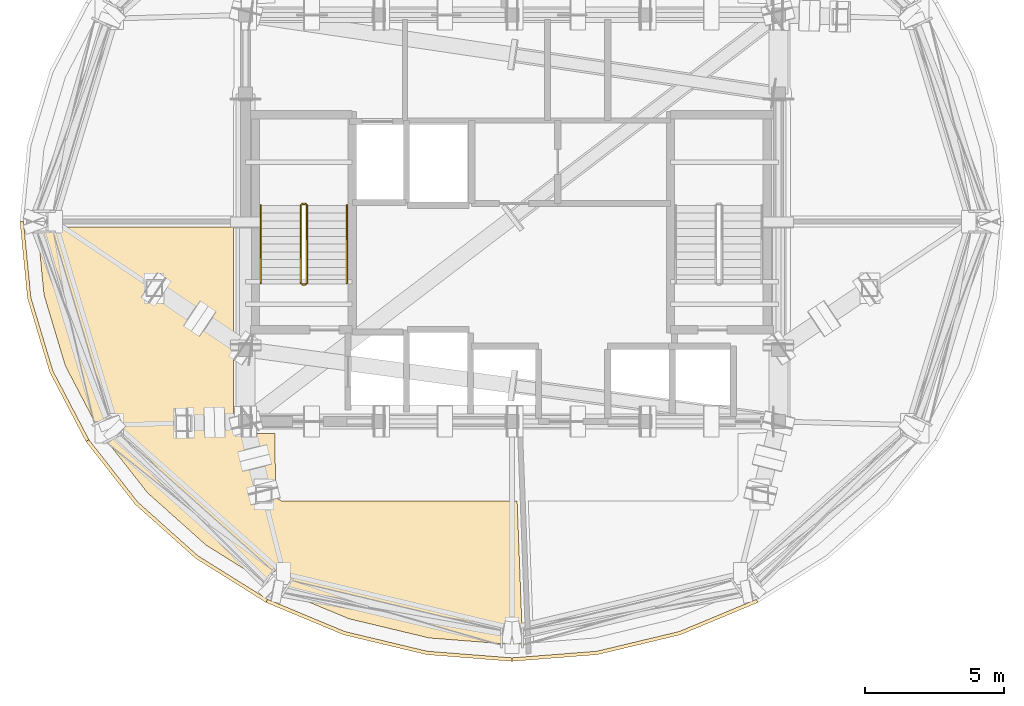
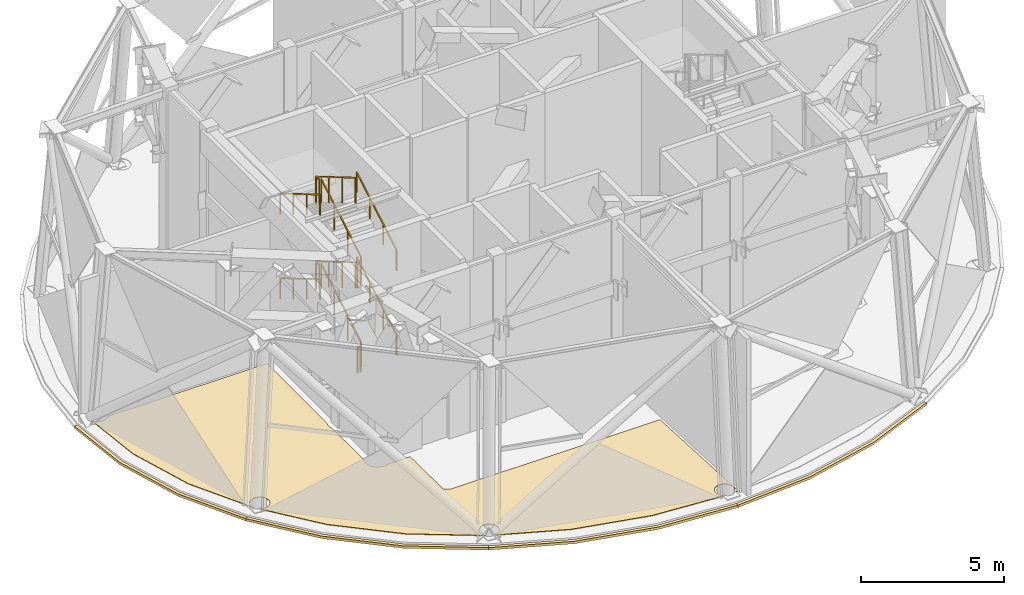
# One storey, part 10 of 12: 12 railings, 5 coverings.
"""IFC4 building model written with IfcOpenShell, lengths in metres."""

from ifc_helpers import new_model, si_unit, direction, frame, origin, origin_2d, place, context, subcontext, project, spatial, polyline, rectangle, outline, extrude, material, layer, layer_set, type_object, element, save


model = new_model("IFC4")

# Units and contexts
model_context = context("Model", 3, precision=1e-05, world=origin(), true_north=direction((0.0, 1.0)))
body_context = subcontext(model_context, "Body", "Model", "MODEL_VIEW")
ifc_project = project(units=[si_unit("LENGTHUNIT", "METRE"), si_unit("AREAUNIT", "SQUARE_METRE"), si_unit("VOLUMEUNIT", "CUBIC_METRE"), si_unit("PLANEANGLEUNIT", "RADIAN"), si_unit("MASSUNIT", "GRAM", prefix="KILO")], contexts=[model_context])

# Site, building, storey
site_placement = place(None, origin())
site = spatial("IfcSite", under=ifc_project, at=site_placement, CompositionType="ELEMENT")
building_placement = place(site_placement, origin())
building = spatial("IfcBuilding", under=site, at=building_placement, Name="Vantalir Tower", CompositionType="ELEMENT")
storey_placement = place(building_placement, frame((0.0, 0.0, 304.5)))
storey = spatial("IfcBuildingStorey", under=building, at=storey_placement, Name="L76", CompositionType="ELEMENT", Elevation=304.5)

# Coverings
ifc_material_1 = material(Name="Anodised champagne aluminium sill fascia", Category="aluminium")
ifc_layer_1 = layer(ifc_material_1, 0.125)
ifc_layer_set_1 = layer_set([ifc_layer_1], Name="Anodised champagne aluminium sill fascia")
covering_type_1 = type_object("IfcCoveringType", Name="COV-SLAB-FASCIA-125", PredefinedType="CLADDING", material=ifc_layer_set_1)
covering_1_placement = place(storey_placement, frame((0.0, 0.0, -0.179931640625)))
element("IfcCovering", 1, at=covering_1_placement, inside=storey, type_object=covering_type_1, Name="L76 Perimeter Slab-Edge Sill Fascia 07", PredefinedType="CLADDING", context=body_context, shape_type="SweptSolid", body=[
    extrude(outline(polyline([(13.77490234375, 25.0), (14.0439453125, 22.25), (14.843994140625, 19.5830078125), (16.14990234375, 17.080078125), (16.258056640625, 17.14306640625), (14.9609375, 19.625), (14.1669921875, 22.27099609375), (13.89990234375, 25.0), (13.77490234375, 25.0)])), origin(), (0.0, 0.0, 1.0), 0.10498046875),
])
covering_2_placement = place(storey_placement, frame((0.0, 0.0, -0.179931640625)))
element("IfcCovering", 2, at=covering_2_placement, inside=storey, type_object=covering_type_1, Name="L76 Perimeter Slab-Edge Sill Fascia 08", PredefinedType="CLADDING", context=body_context, shape_type="SweptSolid", body=[
    extrude(outline(polyline([(16.14990234375, 17.080078125), (17.922119140625, 14.819091796875), (20.10693359375, 12.866943359375), (22.636962890625, 11.282958984375), (22.699951171875, 11.39111328125), (20.18701171875, 12.9619140625), (18.01806640625, 14.89892578125), (16.258056640625, 17.14306640625), (16.14990234375, 17.080078125)])), origin(), (0.0, 0.0, 1.0), 0.10498046875),
])
covering_3_placement = place(storey_placement, frame((0.0, 0.0, -0.179931640625)))
element("IfcCovering", 3, at=covering_3_placement, inside=storey, type_object=covering_type_1, Name="L76 Perimeter Slab-Edge Sill Fascia 09", PredefinedType="CLADDING", context=body_context, shape_type="SweptSolid", body=[
    extrude(outline(polyline([(22.636962890625, 11.282958984375), (25.43798828125, 10.115966796875), (28.422119140625, 9.402099609375), (31.5, 9.160888671875), (31.5, 9.285888671875), (28.444091796875, 9.52490234375), (25.47998046875, 10.23388671875), (22.699951171875, 11.39111328125), (22.636962890625, 11.282958984375)])), origin(), (0.0, 0.0, 1.0), 0.10498046875),
])
covering_4_placement = place(storey_placement, frame((0.0, 0.0, -0.179931640625)))
element("IfcCovering", 4, at=covering_4_placement, inside=storey, type_object=covering_type_1, Name="L76 Perimeter Slab-Edge Sill Fascia 10", PredefinedType="CLADDING", context=body_context, shape_type="SweptSolid", body=[
    extrude(outline(polyline([(31.5, 9.160888671875), (34.577880859375, 9.402099609375), (37.56201171875, 10.115966796875), (40.363037109375, 11.282958984375), (40.300048828125, 11.39111328125), (37.52001953125, 10.23388671875), (34.555908203125, 9.52490234375), (31.5, 9.285888671875), (31.5, 9.160888671875)])), origin(), (0.0, 0.0, 1.0), 0.10498046875),
])
ifc_material_2 = material(Name="Tropical teak timber and terrazzo floor finish", Category="wood")
ifc_layer_2 = layer(ifc_material_2, 0.02490234375)
ifc_layer_set_2 = layer_set([ifc_layer_2], Name="Tropical teak timber and terrazzo floor finish")
covering_type_2 = type_object("IfcCoveringType", Name="COV-TIMBER-STONE-25", PredefinedType="FLOORING", material=ifc_layer_set_2)
covering_5_placement = place(storey_placement, origin())
element("IfcCovering", 5, at=covering_5_placement, inside=storey, type_object=covering_type_2, Name="L76 Crown South Mechanical Plant Floor Finish", PredefinedType="FLOORING", context=body_context, shape_type="SweptSolid", body=[
    extrude(outline(polyline([(31.882080078125, 9.797119140625), (31.68505859375, 14.93505859375), (23.202880859375, 14.93505859375), (22.98193359375, 15.05810546875), (22.9609375, 17.364990234375), (22.08203125, 17.361083984375), (22.0380859375, 17.344970703125), (21.992919921875, 17.333984375), (21.947021484375, 17.326904296875), (21.89990234375, 17.324951171875), (21.85302734375, 17.326904296875), (21.806884765625, 17.333984375), (21.761962890625, 17.344970703125), (21.7080078125, 17.365966796875), (21.658935546875, 17.365966796875), (21.467041015625, 17.5400390625), (21.4609375, 17.617919921875), (21.445068359375, 17.662109375), (21.43408203125, 17.70703125), (21.427001953125, 17.7529296875), (21.425048828125, 17.800048828125), (21.427001953125, 17.846923828125), (21.43408203125, 17.89306640625), (21.445068359375, 17.93798828125), (21.467041015625, 17.993896484375), (21.4609375, 20.218017578125), (21.445068359375, 20.261962890625), (21.43408203125, 20.306884765625), (21.427001953125, 20.35302734375), (21.425048828125, 20.39990234375), (21.427001953125, 20.447021484375), (21.43408203125, 20.492919921875), (21.445068359375, 20.5380859375), (21.466064453125, 20.592041015625), (21.465087890625, 24.800048828125), (15.031982421875, 24.800048828125), (15.014892578125, 24.777099609375), (14.991943359375, 24.751953125), (14.967041015625, 24.72900390625), (14.93896484375, 24.7080078125), (14.908935546875, 24.68994140625), (14.8779296875, 24.676025390625), (14.845947265625, 24.6640625), (14.81201171875, 24.656005859375), (14.778076171875, 24.65087890625), (14.743896484375, 24.64892578125), (14.7099609375, 24.65087890625), (14.676025390625, 24.656005859375), (14.64208984375, 24.6640625), (14.610107421875, 24.676025390625), (14.5791015625, 24.68994140625), (14.549072265625, 24.7080078125), (14.52099609375, 24.72900390625), (14.49609375, 24.751953125), (14.472900390625, 24.777099609375), (14.4560546875, 24.800048828125), (14.40087890625, 24.800048828125), (14.639892578125, 22.364013671875), (15.406982421875, 19.806884765625), (16.6630859375, 17.404052734375), (16.678955078125, 17.384033203125), (16.6650390625, 17.4150390625), (16.653076171875, 17.447021484375), (16.64501953125, 17.48095703125), (16.639892578125, 17.514892578125), (16.637939453125, 17.549072265625), (16.639892578125, 17.5830078125), (16.64501953125, 17.616943359375), (16.653076171875, 17.65087890625), (16.6650390625, 17.68310546875), (16.678955078125, 17.714111328125), (16.697021484375, 17.743896484375), (16.718017578125, 17.77197265625), (16.740966796875, 17.797119140625), (16.76611328125, 17.820068359375), (16.7939453125, 17.841064453125), (16.823974609375, 17.85888671875), (16.85498046875, 17.873046875), (16.886962890625, 17.885009765625), (16.9208984375, 17.89306640625), (16.955078125, 17.89794921875), (16.989013671875, 17.89990234375), (17.02294921875, 17.89794921875), (17.056884765625, 17.89306640625), (17.091064453125, 17.885009765625), (17.123046875, 17.873046875), (17.154052734375, 17.85888671875), (17.18408203125, 17.841064453125), (17.2119140625, 17.820068359375), (17.237060546875, 17.797119140625), (17.260009765625, 17.77197265625), (17.281005859375, 17.743896484375), (17.299072265625, 17.714111328125), (17.31298828125, 17.68310546875), (17.324951171875, 17.65087890625), (17.3330078125, 17.616943359375), (17.337890625, 17.5830078125), (17.340087890625, 17.549072265625), (17.337890625, 17.514892578125), (17.3330078125, 17.48095703125), (17.324951171875, 17.447021484375), (17.31298828125, 17.4150390625), (17.299072265625, 17.384033203125), (17.281005859375, 17.35400390625), (17.260009765625, 17.325927734375), (17.237060546875, 17.301025390625), (17.2119140625, 17.278076171875), (17.18408203125, 17.257080078125), (17.154052734375, 17.239013671875), (17.123046875, 17.22509765625), (17.091064453125, 17.212890625), (17.056884765625, 17.205078125), (17.02294921875, 17.199951171875), (16.989013671875, 17.197998046875), (16.955078125, 17.199951171875), (16.9208984375, 17.205078125), (16.886962890625, 17.212890625), (16.85498046875, 17.22509765625), (16.823974609375, 17.239013671875), (16.7939453125, 17.257080078125), (16.76611328125, 17.278076171875), (16.7529296875, 17.2900390625), (18.3701171875, 15.22900390625), (20.47607421875, 13.346923828125), (22.868896484375, 11.85107421875), (22.85107421875, 11.87109375), (22.830078125, 11.89892578125), (22.81201171875, 11.928955078125), (22.798095703125, 11.9599609375), (22.785888671875, 11.991943359375), (22.778076171875, 12.02587890625), (22.77294921875, 12.06005859375), (22.77099609375, 12.093994140625), (22.77294921875, 12.1279296875), (22.778076171875, 12.162109375), (22.785888671875, 12.196044921875), (22.798095703125, 12.22802734375), (22.81201171875, 12.259033203125), (22.830078125, 12.2890625), (22.85107421875, 12.31689453125), (22.8740234375, 12.342041015625), (22.89892578125, 12.364990234375), (22.927001953125, 12.385986328125), (22.95703125, 12.404052734375), (22.988037109375, 12.41796875), (23.02001953125, 12.429931640625), (23.053955078125, 12.43798828125), (23.087890625, 12.443115234375), (23.1220703125, 12.445068359375), (23.156005859375, 12.443115234375), (23.18994140625, 12.43798828125), (23.22412109375, 12.429931640625), (23.256103515625, 12.41796875), (23.287109375, 12.404052734375), (23.31689453125, 12.385986328125), (23.344970703125, 12.364990234375), (23.3701171875, 12.342041015625), (23.39306640625, 12.31689453125), (23.4140625, 12.2890625), (23.431884765625, 12.259033203125), (23.446044921875, 12.22802734375), (23.4580078125, 12.196044921875), (23.466064453125, 12.162109375), (23.470947265625, 12.1279296875), (23.472900390625, 12.093994140625), (23.470947265625, 12.06005859375), (23.466064453125, 12.02587890625), (23.4580078125, 11.991943359375), (23.446044921875, 11.9599609375), (23.431884765625, 11.928955078125), (23.4140625, 11.89892578125), (23.39306640625, 11.87109375), (23.3701171875, 11.845947265625), (23.344970703125, 11.822998046875), (23.31689453125, 11.802001953125), (23.287109375, 11.783935546875), (23.256103515625, 11.77001953125), (23.22412109375, 11.758056640625), (23.18994140625, 11.75), (23.156005859375, 11.7451171875), (23.1220703125, 11.742919921875), (23.10009765625, 11.743896484375), (25.62890625, 10.69189453125), (28.51904296875, 10.0009765625), (31.35498046875, 9.779052734375), (31.3349609375, 9.7880859375), (31.304931640625, 9.805908203125), (31.277099609375, 9.826904296875), (31.251953125, 9.85009765625), (31.22900390625, 9.875), (31.2080078125, 9.903076171875), (31.18994140625, 9.93310546875), (31.176025390625, 9.964111328125), (31.1640625, 9.99609375), (31.156005859375, 10.030029296875), (31.15087890625, 10.06396484375), (31.14892578125, 10.097900390625), (31.15087890625, 10.132080078125), (31.156005859375, 10.166015625), (31.1640625, 10.199951171875), (31.176025390625, 10.23193359375), (31.18994140625, 10.262939453125), (31.2080078125, 10.29296875), (31.22900390625, 10.321044921875), (31.251953125, 10.345947265625), (31.277099609375, 10.368896484375), (31.304931640625, 10.389892578125), (31.3349609375, 10.407958984375), (31.365966796875, 10.422119140625), (31.39794921875, 10.43408203125), (31.431884765625, 10.44189453125), (31.466064453125, 10.447021484375), (31.5, 10.448974609375), (31.533935546875, 10.447021484375), (31.568115234375, 10.44189453125), (31.60205078125, 10.43408203125), (31.634033203125, 10.422119140625), (31.6650390625, 10.407958984375), (31.695068359375, 10.389892578125), (31.722900390625, 10.368896484375), (31.748046875, 10.345947265625), (31.77099609375, 10.321044921875), (31.7919921875, 10.29296875), (31.81005859375, 10.262939453125), (31.823974609375, 10.23193359375), (31.8359375, 10.199951171875), (31.843994140625, 10.166015625), (31.84912109375, 10.132080078125), (31.85107421875, 10.097900390625), (31.84912109375, 10.06396484375), (31.843994140625, 10.030029296875), (31.8359375, 9.99609375), (31.823974609375, 9.964111328125), (31.81005859375, 9.93310546875), (31.7919921875, 9.903076171875), (31.77099609375, 9.875), (31.748046875, 9.85009765625), (31.722900390625, 9.826904296875), (31.695068359375, 9.805908203125), (31.6650390625, 9.7880859375), (31.64501953125, 9.779052734375), (31.882080078125, 9.797119140625)])), origin(), (0.0, 0.0, 1.0), 0.02490234375),
])

# Railings
ifc_material_3 = material(Name="Anodised aluminium and stainless steel guard", Category="steel")
railing_type_1 = type_object("IfcRailingType", Name="RAL-GUARD-1120", PredefinedType="GUARDRAIL", material=ifc_material_3)
railing_1_placement = place(storey_placement, frame((24.110107421875, 22.7900390625, 0.164794921875)))
element("IfcRailing", 6, at=railing_1_placement, inside=storey, type_object=railing_type_1, Name="L76 ST1 stair guard 1", PredefinedType="GUARDRAIL", context=body_context, shape_type="SweptSolid", body=[
    extrude(rectangle(XDim=0.048095703125, YDim=0.048095703125, at=origin_2d()), frame((0.0, 0.0, 1.09619140625), z_axis=(0.0, 0.861851137157, 0.507161332695), x_axis=(-1.0, 0.0, 0.0)), (0.0, 0.0, 1.0), 3.248779296875),
    extrude(rectangle(XDim=0.0419921875, YDim=0.0419921875, at=origin_2d()), origin(), (0.0, 0.0, 1.0), 1.072021484375),
    extrude(rectangle(XDim=0.0419921875, YDim=0.0419921875, at=origin_2d()), frame((0.0, 0.933349609375, 0.54931640625)), (0.0, 0.0, 1.0), 1.072021484375),
    extrude(rectangle(XDim=0.0419921875, YDim=0.0419921875, at=origin_2d()), frame((0.0, 1.86669921875, 1.098388671875)), (0.0, 0.0, 1.0), 1.072021484375),
    extrude(rectangle(XDim=0.0419921875, YDim=0.0419921875, at=origin_2d()), frame((0.0, 2.800048828125, 1.647705078125)), (0.0, 0.0, 1.0), 1.072021484375),
])
railing_2_placement = place(storey_placement, frame((24.06005859375, 25.639892578125, 1.8125)))
element("IfcRailing", 7, at=railing_2_placement, inside=storey, type_object=railing_type_1, Name="L76 ST1 stair guard 2", PredefinedType="GUARDRAIL", context=body_context, shape_type="SweptSolid", body=[
    extrude(rectangle(XDim=0.048095703125, YDim=0.048095703125, at=origin_2d()), frame((0.0, 0.0, 1.09619140625), z_axis=(-1.0, 0.0, 0.0), x_axis=(0.0, -1.0, 0.0)), (0.0, 0.0, 1.0), 0.1201171875),
    extrude(rectangle(XDim=0.0419921875, YDim=0.0419921875, at=origin_2d()), origin(), (0.0, 0.0, 1.0), 1.072021484375),
    extrude(rectangle(XDim=0.0419921875, YDim=0.0419921875, at=origin_2d()), frame((-0.1201171875, 0.0, 0.0)), (0.0, 0.0, 1.0), 1.072021484375),
])
railing_3_placement = place(storey_placement, frame((23.889892578125, 25.590087890625, 1.977294921875)))
element("IfcRailing", 8, at=railing_3_placement, inside=storey, type_object=railing_type_1, Name="L76 ST1 stair guard 3", PredefinedType="GUARDRAIL", context=body_context, shape_type="SweptSolid", body=[
    extrude(rectangle(XDim=0.048095703125, YDim=0.048095703125, at=origin_2d()), frame((0.0, 0.0, 1.09619140625), z_axis=(0.0, -0.861851137157, 0.507161332695), x_axis=(1.0, 0.0, 0.0)), (0.0, 0.0, 1.0), 3.248779296875),
    extrude(rectangle(XDim=0.0419921875, YDim=0.0419921875, at=origin_2d()), origin(), (0.0, 0.0, 1.0), 1.072021484375),
    extrude(rectangle(XDim=0.0419921875, YDim=0.0419921875, at=origin_2d()), frame((0.0, -0.933349609375, 0.54931640625)), (0.0, 0.0, 1.0), 1.072021484375),
    extrude(rectangle(XDim=0.0419921875, YDim=0.0419921875, at=origin_2d()), frame((0.0, -1.86669921875, 1.098388671875)), (0.0, 0.0, 1.0), 1.072021484375),
    extrude(rectangle(XDim=0.0419921875, YDim=0.0419921875, at=origin_2d()), frame((0.0, -2.800048828125, 1.647705078125)), (0.0, 0.0, 1.0), 1.072021484375),
])
railing_4_placement = place(storey_placement, frame((24.06005859375, 22.739990234375, 3.625)))
element("IfcRailing", 9, at=railing_4_placement, inside=storey, type_object=railing_type_1, Name="L76 ST1 stair guard 4", PredefinedType="GUARDRAIL", context=body_context, shape_type="SweptSolid", body=[
    extrude(rectangle(XDim=0.048095703125, YDim=0.048095703125, at=origin_2d()), frame((0.0, 0.0, 1.09619140625), z_axis=(-1.0, 0.0, 0.0), x_axis=(0.0, -1.0, 0.0)), (0.0, 0.0, 1.0), 0.1201171875),
    extrude(rectangle(XDim=0.0419921875, YDim=0.0419921875, at=origin_2d()), origin(), (0.0, 0.0, 1.0), 1.072021484375),
    extrude(rectangle(XDim=0.0419921875, YDim=0.0419921875, at=origin_2d()), frame((-0.1201171875, 0.0, 0.0)), (0.0, 0.0, 1.0), 1.072021484375),
])
railing_5_placement = place(storey_placement, frame((24.110107421875, 22.7900390625, 3.789794921875)))
element("IfcRailing", 10, at=railing_5_placement, inside=storey, type_object=railing_type_1, Name="L76 ST1 stair guard 5", PredefinedType="GUARDRAIL", context=body_context, shape_type="SweptSolid", body=[
    extrude(rectangle(XDim=0.048095703125, YDim=0.048095703125, at=origin_2d()), frame((0.0, 0.0, 1.09619140625), z_axis=(0.0, 0.861851137157, 0.507161332695), x_axis=(-1.0, 0.0, 0.0)), (0.0, 0.0, 1.0), 3.248779296875),
    extrude(rectangle(XDim=0.0419921875, YDim=0.0419921875, at=origin_2d()), origin(), (0.0, 0.0, 1.0), 1.072021484375),
    extrude(rectangle(XDim=0.0419921875, YDim=0.0419921875, at=origin_2d()), frame((0.0, 0.933349609375, 0.54931640625)), (0.0, 0.0, 1.0), 1.072021484375),
    extrude(rectangle(XDim=0.0419921875, YDim=0.0419921875, at=origin_2d()), frame((0.0, 1.86669921875, 1.098388671875)), (0.0, 0.0, 1.0), 1.072021484375),
    extrude(rectangle(XDim=0.0419921875, YDim=0.0419921875, at=origin_2d()), frame((0.0, 2.800048828125, 1.647705078125)), (0.0, 0.0, 1.0), 1.072021484375),
])
railing_6_placement = place(storey_placement, frame((24.06005859375, 25.639892578125, 5.4375)))
element("IfcRailing", 11, at=railing_6_placement, inside=storey, type_object=railing_type_1, Name="L76 ST1 stair guard 6", PredefinedType="GUARDRAIL", context=body_context, shape_type="SweptSolid", body=[
    extrude(rectangle(XDim=0.048095703125, YDim=0.048095703125, at=origin_2d()), frame((0.0, 0.0, 1.09619140625), z_axis=(-1.0, 0.0, 0.0), x_axis=(0.0, -1.0, 0.0)), (0.0, 0.0, 1.0), 0.1201171875),
    extrude(rectangle(XDim=0.0419921875, YDim=0.0419921875, at=origin_2d()), origin(), (0.0, 0.0, 1.0), 1.072021484375),
    extrude(rectangle(XDim=0.0419921875, YDim=0.0419921875, at=origin_2d()), frame((-0.1201171875, 0.0, 0.0)), (0.0, 0.0, 1.0), 1.072021484375),
])
railing_7_placement = place(storey_placement, frame((23.889892578125, 25.590087890625, 5.602294921875)))
element("IfcRailing", 12, at=railing_7_placement, inside=storey, type_object=railing_type_1, Name="L76 ST1 stair guard 7", PredefinedType="GUARDRAIL", context=body_context, shape_type="SweptSolid", body=[
    extrude(rectangle(XDim=0.048095703125, YDim=0.048095703125, at=origin_2d()), frame((0.0, 0.0, 1.09619140625), z_axis=(0.0, -0.861851137157, 0.507161332695), x_axis=(1.0, 0.0, 0.0)), (0.0, 0.0, 1.0), 3.248779296875),
    extrude(rectangle(XDim=0.0419921875, YDim=0.0419921875, at=origin_2d()), origin(), (0.0, 0.0, 1.0), 1.072021484375),
    extrude(rectangle(XDim=0.0419921875, YDim=0.0419921875, at=origin_2d()), frame((0.0, -0.933349609375, 0.54931640625)), (0.0, 0.0, 1.0), 1.072021484375),
    extrude(rectangle(XDim=0.0419921875, YDim=0.0419921875, at=origin_2d()), frame((0.0, -1.86669921875, 1.098388671875)), (0.0, 0.0, 1.0), 1.072021484375),
    extrude(rectangle(XDim=0.0419921875, YDim=0.0419921875, at=origin_2d()), frame((0.0, -2.800048828125, 1.647705078125)), (0.0, 0.0, 1.0), 1.072021484375),
])
railing_8_placement = place(storey_placement, frame((24.06005859375, 22.739990234375, 0.0)))
element("IfcRailing", 13, at=railing_8_placement, inside=storey, type_object=railing_type_1, Name="L76 ST1 stair guard 8", PredefinedType="GUARDRAIL", context=body_context, shape_type="SweptSolid", body=[
    extrude(rectangle(XDim=0.048095703125, YDim=0.048095703125, at=origin_2d()), frame((0.0, 0.0, 1.09619140625), z_axis=(-1.0, 0.0, 0.0), x_axis=(0.0, -1.0, 0.0)), (0.0, 0.0, 1.0), 0.1201171875),
    extrude(rectangle(XDim=0.0419921875, YDim=0.0419921875, at=origin_2d()), origin(), (0.0, 0.0, 1.0), 1.072021484375),
    extrude(rectangle(XDim=0.0419921875, YDim=0.0419921875, at=origin_2d()), frame((-0.1201171875, 0.0, 0.0)), (0.0, 0.0, 1.0), 1.072021484375),
])
ifc_material_4 = material(Name="Brushed stainless steel tubular handrail", Category="steel")
railing_type_2 = type_object("IfcRailingType", Name="RAL-HANDRAIL-900", PredefinedType="HANDRAIL", material=ifc_material_4)
railing_9_placement = place(storey_placement, frame((25.550048828125, 22.7900390625, 0.164794921875)))
element("IfcRailing", 14, at=railing_9_placement, inside=storey, type_object=railing_type_2, Name="L76 ST1 stair handrail 1", PredefinedType="HANDRAIL", context=body_context, shape_type="SweptSolid", body=[
    extrude(rectangle(XDim=0.048095703125, YDim=0.048095703125, at=origin_2d()), frame((0.0, 0.0, 0.8759765625), z_axis=(0.0, 0.861851137157, 0.507161332695), x_axis=(-1.0, 0.0, 0.0)), (0.0, 0.0, 1.0), 3.248779296875),
    extrude(rectangle(XDim=0.0419921875, YDim=0.0419921875, at=origin_2d()), origin(), (0.0, 0.0, 1.0), 0.851806640625),
    extrude(rectangle(XDim=0.0419921875, YDim=0.0419921875, at=origin_2d()), frame((0.0, 0.933349609375, 0.54931640625)), (0.0, 0.0, 1.0), 0.851806640625),
    extrude(rectangle(XDim=0.0419921875, YDim=0.0419921875, at=origin_2d()), frame((0.0, 1.86669921875, 1.098388671875)), (0.0, 0.0, 1.0), 0.851806640625),
    extrude(rectangle(XDim=0.0419921875, YDim=0.0419921875, at=origin_2d()), frame((0.0, 2.800048828125, 1.647705078125)), (0.0, 0.0, 1.0), 0.851806640625),
])
railing_10_placement = place(storey_placement, frame((22.449951171875, 25.590087890625, 1.977294921875)))
element("IfcRailing", 15, at=railing_10_placement, inside=storey, type_object=railing_type_2, Name="L76 ST1 stair handrail 2", PredefinedType="HANDRAIL", context=body_context, shape_type="SweptSolid", body=[
    extrude(rectangle(XDim=0.048095703125, YDim=0.048095703125, at=origin_2d()), frame((0.0, 0.0, 0.8759765625), z_axis=(0.0, -0.861851137157, 0.507161332695), x_axis=(1.0, 0.0, 0.0)), (0.0, 0.0, 1.0), 3.248779296875),
    extrude(rectangle(XDim=0.0419921875, YDim=0.0419921875, at=origin_2d()), origin(), (0.0, 0.0, 1.0), 0.851806640625),
    extrude(rectangle(XDim=0.0419921875, YDim=0.0419921875, at=origin_2d()), frame((0.0, -0.933349609375, 0.54931640625)), (0.0, 0.0, 1.0), 0.851806640625),
    extrude(rectangle(XDim=0.0419921875, YDim=0.0419921875, at=origin_2d()), frame((0.0, -1.86669921875, 1.098388671875)), (0.0, 0.0, 1.0), 0.851806640625),
    extrude(rectangle(XDim=0.0419921875, YDim=0.0419921875, at=origin_2d()), frame((0.0, -2.800048828125, 1.647705078125)), (0.0, 0.0, 1.0), 0.851806640625),
])
railing_11_placement = place(storey_placement, frame((25.550048828125, 22.7900390625, 3.789794921875)))
element("IfcRailing", 16, at=railing_11_placement, inside=storey, type_object=railing_type_2, Name="L76 ST1 stair handrail 3", PredefinedType="HANDRAIL", context=body_context, shape_type="SweptSolid", body=[
    extrude(rectangle(XDim=0.048095703125, YDim=0.048095703125, at=origin_2d()), frame((0.0, 0.0, 0.8759765625), z_axis=(0.0, 0.861851137157, 0.507161332695), x_axis=(-1.0, 0.0, 0.0)), (0.0, 0.0, 1.0), 3.248779296875),
    extrude(rectangle(XDim=0.0419921875, YDim=0.0419921875, at=origin_2d()), origin(), (0.0, 0.0, 1.0), 0.851806640625),
    extrude(rectangle(XDim=0.0419921875, YDim=0.0419921875, at=origin_2d()), frame((0.0, 0.933349609375, 0.54931640625)), (0.0, 0.0, 1.0), 0.851806640625),
    extrude(rectangle(XDim=0.0419921875, YDim=0.0419921875, at=origin_2d()), frame((0.0, 1.86669921875, 1.098388671875)), (0.0, 0.0, 1.0), 0.851806640625),
    extrude(rectangle(XDim=0.0419921875, YDim=0.0419921875, at=origin_2d()), frame((0.0, 2.800048828125, 1.647705078125)), (0.0, 0.0, 1.0), 0.851806640625),
])
railing_12_placement = place(storey_placement, frame((22.449951171875, 25.590087890625, 5.602294921875)))
element("IfcRailing", 17, at=railing_12_placement, inside=storey, type_object=railing_type_2, Name="L76 ST1 stair handrail 4", PredefinedType="HANDRAIL", context=body_context, shape_type="SweptSolid", body=[
    extrude(rectangle(XDim=0.048095703125, YDim=0.048095703125, at=origin_2d()), frame((0.0, 0.0, 0.8759765625), z_axis=(0.0, -0.861851137157, 0.507161332695), x_axis=(1.0, 0.0, 0.0)), (0.0, 0.0, 1.0), 3.248779296875),
    extrude(rectangle(XDim=0.0419921875, YDim=0.0419921875, at=origin_2d()), origin(), (0.0, 0.0, 1.0), 0.851806640625),
    extrude(rectangle(XDim=0.0419921875, YDim=0.0419921875, at=origin_2d()), frame((0.0, -0.933349609375, 0.54931640625)), (0.0, 0.0, 1.0), 0.851806640625),
    extrude(rectangle(XDim=0.0419921875, YDim=0.0419921875, at=origin_2d()), frame((0.0, -1.86669921875, 1.098388671875)), (0.0, 0.0, 1.0), 0.851806640625),
    extrude(rectangle(XDim=0.0419921875, YDim=0.0419921875, at=origin_2d()), frame((0.0, -2.800048828125, 1.647705078125)), (0.0, 0.0, 1.0), 0.851806640625),
])

save(model, "model.ifc")
